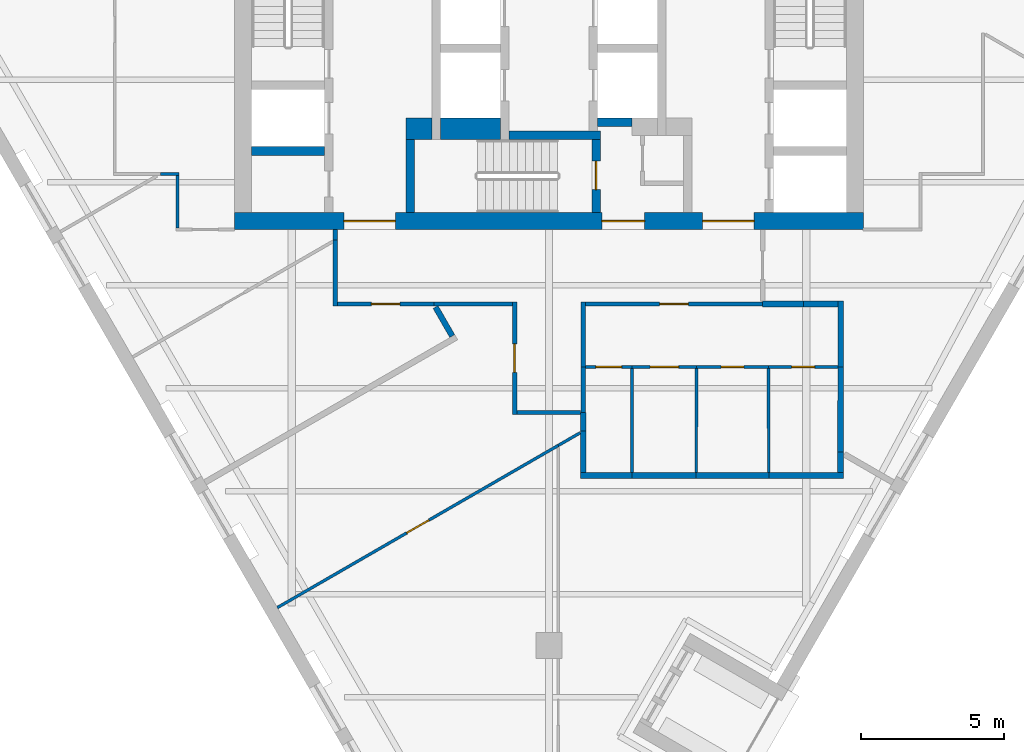
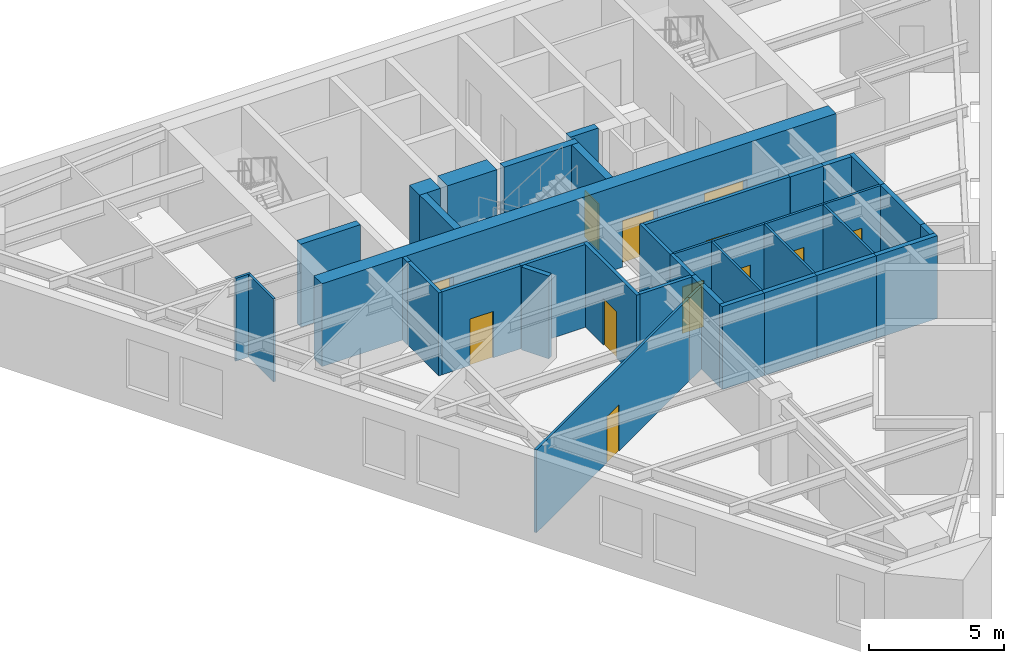
# One storey, part 3 of 7: 40 walls, 12 doors, 12 openings.
"""IFC4 building model written with IfcOpenShell, lengths in metres."""

from ifc_helpers import new_model, si_unit, direction, frame, frame_2d, origin, place, context, subcontext, project, spatial, rectangle, extrude, material, layer, layer_set, type_object, element, fill, save


model = new_model("IFC4")

# Units and contexts
model_context = context("Model", 3, precision=1e-05, world=origin(), true_north=direction((0.0, 1.0)))
body_context = subcontext(model_context, "Body", "Model", "MODEL_VIEW")
ifc_project = project(units=[si_unit("LENGTHUNIT", "METRE"), si_unit("AREAUNIT", "SQUARE_METRE"), si_unit("VOLUMEUNIT", "CUBIC_METRE"), si_unit("PLANEANGLEUNIT", "RADIAN"), si_unit("MASSUNIT", "GRAM", prefix="KILO")], contexts=[model_context])

# Site, building, storey
site_placement = place(None, origin())
site = spatial("IfcSite", under=ifc_project, at=site_placement, CompositionType="ELEMENT")
building_placement = place(site_placement, origin())
building = spatial("IfcBuilding", under=site, at=building_placement, Name="Aloe Facet Convention Tower", CompositionType="ELEMENT")
storey_placement = place(building_placement, frame((0.0, 0.0, 163.699951171875)))
storey = spatial("IfcBuildingStorey", under=building, at=storey_placement, Name="L41", CompositionType="ELEMENT", Elevation=163.699951171875)

# Walls
ifc_material_1 = material(Name="Concrete C60/75", Category="concrete")
ifc_layer_1 = layer(ifc_material_1, 0.300048828125)
ifc_layer_set_1 = layer_set([ifc_layer_1], Name="CR-W-RC300-C6075")
wall_type_1 = type_object("IfcWallType", Name="CR-W-RC300-C6075", PredefinedType="SOLIDWALL", material=ifc_layer_set_1)
wall_1_placement = place(storey_placement, frame((69.60009765625, 125.300048828125, 0.0), z_axis=(0.0, 0.0, 1.0), x_axis=(1.0, 0.0, 0.0)))
element("IfcWall", 1, at=wall_1_placement, inside=storey, type_object=wall_type_1, Name="Core wall L41-005", PredefinedType="SOLIDWALL", context=body_context, shape_type="SweptSolid", body=[
    extrude(rectangle(XDim=2.5498046875, YDim=0.300048828125, at=frame_2d((1.27490234375, 0.0))), origin(), (0.0, 0.0, 1.0), 3.75),
])
wall_2_placement = place(storey_placement, frame((75.14990234375, 125.699951171875, 0.0), z_axis=(0.0, 0.0, 1.0), x_axis=(0.0, -1.0, 0.0)))
element("IfcWall", 2, at=wall_2_placement, inside=storey, type_object=wall_type_1, Name="Core wall L41-009", PredefinedType="SOLIDWALL", context=body_context, shape_type="SweptSolid", body=[
    extrude(rectangle(XDim=2.550048828125, YDim=0.300048828125, at=frame_2d((1.27490234375, 0.0))), origin(), (0.0, 0.0, 1.0), 3.75),
])
wall_3_placement = place(storey_placement, frame((78.60009765625, 125.85009765625, 0.0), z_axis=(0.0, 0.0, 1.0), x_axis=(1.0, 0.0, 0.0)))
element("IfcWall", 3, at=wall_3_placement, inside=storey, type_object=wall_type_1, Name="Core wall L41-015", PredefinedType="SOLIDWALL", context=body_context, shape_type="SweptSolid", body=[
    extrude(rectangle(XDim=3.199951171875, YDim=0.300048828125, at=frame_2d((1.60009765625, 0.0))), origin(), (0.0, 0.0, 1.0), 3.75),
])

# Wall, opening, door
wall_4_placement = place(storey_placement, frame((81.64990234375, 125.699951171875, 0.0), z_axis=(0.0, 0.0, 1.0), x_axis=(0.0, -1.0, 0.0)))
wall_4 = element("IfcWall", 4, at=wall_4_placement, inside=storey, type_object=wall_type_1, Name="Core wall L41-017", PredefinedType="SOLIDWALL", context=body_context, shape_type="SweptSolid", body=[
    extrude(rectangle(XDim=2.550048828125, YDim=0.300048828125, at=frame_2d((1.27490234375, 0.0))), origin(), (0.0, 0.0, 1.0), 3.75),
])
opening_1_placement = place(wall_4_placement, frame((0.75, 0.0, 0.0)))
opening_1 = element("IfcOpeningElement", 5, at=opening_1_placement, cuts=wall_4, Name="Opening L41-CD18", PredefinedType="OPENING", context=body_context, shape_type="SweptSolid", body=[
    extrude(rectangle(XDim=1.0, YDim=2.10009765625, at=frame_2d((0.5, 1.050048828125))), frame((0.0, 0.16015625, 0.0), z_axis=(0.0, -1.0, 0.0), x_axis=(1.0, 0.0, 0.0)), (0.0, 0.0, 1.0), 0.320068359375),
])
ifc_material_2 = material(Name="Steel fire-resisting door set FD120", Category="steel")
door_type_1 = type_object("IfcDoorType", Name="CR-D-STAIR-1000-FD120-SLEFT", OperationType="SINGLE_SWING_LEFT", PredefinedType="DOOR", material=ifc_material_2)
door_1_placement = place(opening_1_placement, origin())
door_1 = element("IfcDoor", 6, at=door_1_placement, inside=storey, type_object=door_type_1, Name="Core door L41-CD18", OperationType="SINGLE_SWING_LEFT", OverallHeight=2.10009765625, OverallWidth=1.0, PredefinedType="DOOR", context=body_context, shape_type="SweptSolid", body=[
    extrude(rectangle(XDim=1.0, YDim=2.10009765625, at=frame_2d((0.5, 1.050048828125))), frame((0.0, 0.02490234375, 0.0), z_axis=(0.0, -1.0, 0.0), x_axis=(1.0, 0.0, 0.0)), (0.0, 0.0, 1.0), 0.050048828125),
])
fill(opening_1, door_1)

# Wall
wall_5_placement = place(storey_placement, frame((81.699951171875, 126.300048828125, 0.0), z_axis=(0.0, 0.0, 1.0), x_axis=(1.0, 0.0, 0.0)))
element("IfcWall", 7, at=wall_5_placement, inside=storey, type_object=wall_type_1, Name="Core wall L41-020", PredefinedType="SOLIDWALL", context=body_context, shape_type="SweptSolid", body=[
    extrude(rectangle(XDim=1.199951171875, YDim=0.300048828125, at=frame_2d((0.60009765625, 0.0))), origin(), (0.0, 0.0, 1.0), 3.75),
])

# Wall, openings, doors
ifc_material_3 = material(Name="Concrete C60/75", Category="concrete")
ifc_layer_2 = layer(ifc_material_3, 0.60009765625)
ifc_layer_set_2 = layer_set([ifc_layer_2], Name="CR-W-RC600-C6075")
wall_type_2 = type_object("IfcWallType", Name="CR-W-RC600-C6075", PredefinedType="SOLIDWALL", material=ifc_layer_set_2)
wall_6_placement = place(storey_placement, frame((69.0, 122.85009765625, 0.0), z_axis=(0.0, 0.0, 1.0), x_axis=(1.0, 0.0, 0.0)))
wall_6 = element("IfcWall", 8, at=wall_6_placement, inside=storey, type_object=wall_type_2, Name="Core wall L41-003", PredefinedType="SOLIDWALL", context=body_context, shape_type="SweptSolid", body=[
    extrude(rectangle(XDim=22.0, YDim=0.60009765625, at=frame_2d((11.0, 0.0))), origin(), (0.0, 0.0, 1.0), 3.75),
])
opening_2_placement = place(wall_6_placement, frame((16.375, 0.0, 0.0)))
opening_2 = element("IfcOpeningElement", 9, at=opening_2_placement, cuts=wall_6, Name="Opening L41-CD09", PredefinedType="OPENING", context=body_context, shape_type="SweptSolid", body=[
    extrude(rectangle(XDim=1.800048828125, YDim=2.10009765625, at=frame_2d((0.89990234375, 1.050048828125))), frame((0.0, 0.31005859375, 0.0), z_axis=(0.0, -1.0, 0.0), x_axis=(1.0, 0.0, 0.0)), (0.0, 0.0, 1.0), 0.6201171875),
])
opening_3_placement = place(wall_6_placement, frame((3.824951171875, 0.0, 0.0)))
opening_3 = element("IfcOpeningElement", 10, at=opening_3_placement, cuts=wall_6, Name="Opening L41-CD10", PredefinedType="OPENING", context=body_context, shape_type="SweptSolid", body=[
    extrude(rectangle(XDim=1.800048828125, YDim=2.10009765625, at=frame_2d((0.89990234375, 1.050048828125))), frame((0.0, 0.31005859375, 0.0), z_axis=(0.0, -1.0, 0.0), x_axis=(1.0, 0.0, 0.0)), (0.0, 0.0, 1.0), 0.6201171875),
])
opening_4_placement = place(wall_6_placement, frame((12.85009765625, 0.0, 0.0)))
opening_4 = element("IfcOpeningElement", 11, at=opening_4_placement, cuts=wall_6, Name="Opening L41-CD11", PredefinedType="OPENING", context=body_context, shape_type="SweptSolid", body=[
    extrude(rectangle(XDim=1.5, YDim=2.10009765625, at=frame_2d((0.75, 1.050048828125))), frame((0.0, 0.31005859375, 0.0), z_axis=(0.0, -1.0, 0.0), x_axis=(1.0, 0.0, 0.0)), (0.0, 0.0, 1.0), 0.6201171875),
])
ifc_material_4 = material(Name="Steel fire-resisting door set FD60", Category="steel")
door_type_2 = type_object("IfcDoorType", Name="CR-D-EXIT-1500-FD60-DD", OperationType="DOUBLE_DOOR_DOUBLE_SWING", PredefinedType="DOOR", material=ifc_material_4)
door_2_placement = place(opening_4_placement, origin())
door_2 = element("IfcDoor", 12, at=door_2_placement, inside=storey, type_object=door_type_2, Name="Core door L41-CD11", OperationType="DOUBLE_DOOR_DOUBLE_SWING", OverallHeight=2.10009765625, OverallWidth=1.5, PredefinedType="DOOR", context=body_context, shape_type="SweptSolid", body=[
    extrude(rectangle(XDim=1.5, YDim=2.10009765625, at=frame_2d((0.75, 1.050048828125))), frame((0.0, 0.02490234375, 0.0), z_axis=(0.0, -1.0, 0.0), x_axis=(1.0, 0.0, 0.0)), (0.0, 0.0, 1.0), 0.050048828125),
])
fill(opening_4, door_2)
ifc_material_5 = material(Name="Steel fire-resisting door set FD120", Category="steel")
door_type_3 = type_object("IfcDoorType", Name="CR-D-EXIT-1800-FD120-DD", OperationType="DOUBLE_DOOR_DOUBLE_SWING", PredefinedType="DOOR", material=ifc_material_5)
door_3_placement = place(opening_2_placement, origin())
door_3 = element("IfcDoor", 13, at=door_3_placement, inside=storey, type_object=door_type_3, Name="Core door L41-CD09", OperationType="DOUBLE_DOOR_DOUBLE_SWING", OverallHeight=2.10009765625, OverallWidth=1.800048828125, PredefinedType="DOOR", context=body_context, shape_type="SweptSolid", body=[
    extrude(rectangle(XDim=1.800048828125, YDim=2.10009765625, at=frame_2d((0.89990234375, 1.050048828125))), frame((0.0, 0.02490234375, 0.0), z_axis=(0.0, -1.0, 0.0), x_axis=(1.0, 0.0, 0.0)), (0.0, 0.0, 1.0), 0.050048828125),
])
fill(opening_2, door_3)
door_4_placement = place(opening_3_placement, origin())
door_4 = element("IfcDoor", 14, at=door_4_placement, inside=storey, type_object=door_type_3, Name="Core door L41-CD10", OperationType="DOUBLE_DOOR_DOUBLE_SWING", OverallHeight=2.10009765625, OverallWidth=1.800048828125, PredefinedType="DOOR", context=body_context, shape_type="SweptSolid", body=[
    extrude(rectangle(XDim=1.800048828125, YDim=2.10009765625, at=frame_2d((0.89990234375, 1.050048828125))), frame((0.0, 0.02490234375, 0.0), z_axis=(0.0, -1.0, 0.0), x_axis=(1.0, 0.0, 0.0)), (0.0, 0.0, 1.0), 0.050048828125),
])
fill(opening_3, door_4)

# Walls
ifc_material_6 = material(Name="Concrete C60/75", Category="concrete")
ifc_layer_3 = layer(ifc_material_6, 0.75)
ifc_layer_set_3 = layer_set([ifc_layer_3], Name="CR-W-RC750-C6075")
wall_type_3 = type_object("IfcWallType", Name="CR-W-RC750-C6075", PredefinedType="SOLIDWALL", material=ifc_layer_set_3)
wall_7_placement = place(storey_placement, frame((75.0, 126.074951171875, 0.0), z_axis=(0.0, 0.0, 1.0), x_axis=(1.0, 0.0, 0.0)))
element("IfcWall", 15, at=wall_7_placement, inside=storey, type_object=wall_type_3, Name="Core wall L41-008", PredefinedType="SOLIDWALL", context=body_context, shape_type="SweptSolid", body=[
    extrude(rectangle(XDim=0.89990234375, YDim=0.75, at=frame_2d((0.449951171875, 0.0))), origin(), (0.0, 0.0, 1.0), 3.75),
])
wall_8_placement = place(storey_placement, frame((76.199951171875, 126.074951171875, 0.0), z_axis=(0.0, 0.0, 1.0), x_axis=(1.0, 0.0, 0.0)))
element("IfcWall", 16, at=wall_8_placement, inside=storey, type_object=wall_type_3, Name="Core wall L41-013", PredefinedType="SOLIDWALL", context=body_context, shape_type="SweptSolid", body=[
    extrude(rectangle(XDim=2.10009765625, YDim=0.75, at=frame_2d((1.050048828125, 0.0))), origin(), (0.0, 0.0, 1.0), 3.75),
])

# Wall, opening, door
ifc_material_7 = material(Name="Gypsum board partition on steel studs", Category="steel")
ifc_layer_4 = layer(ifc_material_7, 0.14990234375)
ifc_layer_set_4 = layer_set([ifc_layer_4], Name="IN-W-CORR")
wall_type_4 = type_object("IfcWallType", Name="IN-W-CORR", PredefinedType="PARTITIONING", material=ifc_layer_set_4)
wall_9_placement = place(storey_placement, frame((78.800048828125, 116.081787109375, 0.0), z_axis=(0.0, 0.0, 1.0), x_axis=(0.0, 1.0, 0.0)))
wall_9 = element("IfcWall", 17, at=wall_9_placement, inside=storey, type_object=wall_type_4, Name="Partition L41-W013", PredefinedType="PARTITIONING", context=body_context, shape_type="SweptSolid", body=[
    extrude(rectangle(XDim=3.943115234375, YDim=0.14990234375, at=frame_2d((1.9716796875, 0.0))), origin(), (0.0, 0.0, 1.0), 3.75),
])
opening_5_placement = place(wall_9_placement, frame((1.4716796875, 0.0, 0.0)))
opening_5 = element("IfcOpeningElement", 18, at=opening_5_placement, cuts=wall_9, Name="Opening L41-011", PredefinedType="OPENING", context=body_context, shape_type="SweptSolid", body=[
    extrude(rectangle(XDim=1.0, YDim=2.10009765625, at=frame_2d((0.5, 1.050048828125))), frame((0.0, 0.0849609375, 0.0), z_axis=(0.0, -1.0, 0.0), x_axis=(1.0, 0.0, 0.0)), (0.0, 0.0, 1.0), 0.169921875),
])
ifc_material_8 = material(Name="Timber door FD30S with vision panel", Category="wood")
door_type_4 = type_object("IfcDoorType", Name="IN-OFF-D-ENTRY", OperationType="SINGLE_SWING_LEFT", PredefinedType="DOOR", material=ifc_material_8)
door_5_placement = place(opening_5_placement, origin())
door_5 = element("IfcDoor", 19, at=door_5_placement, inside=storey, type_object=door_type_4, Name="Door L41-011", OperationType="SINGLE_SWING_LEFT", OverallHeight=2.10009765625, OverallWidth=1.0, PredefinedType="DOOR", context=body_context, shape_type="SweptSolid", body=[
    extrude(rectangle(XDim=1.0, YDim=2.10009765625, at=frame_2d((0.5, 1.050048828125))), frame((0.0, 0.02490234375, 0.0), z_axis=(0.0, -1.0, 0.0), x_axis=(1.0, 0.0, 0.0)), (0.0, 0.0, 1.0), 0.050048828125),
])
fill(opening_5, door_5)

# Walls
wall_10_placement = place(storey_placement, frame((78.875, 116.15673828125, 0.0), z_axis=(0.0, 0.0, 1.0), x_axis=(1.0, 0.0, 0.0)))
element("IfcWall", 20, at=wall_10_placement, inside=storey, type_object=wall_type_4, Name="Partition L41-W015", PredefinedType="PARTITIONING", context=body_context, shape_type="SweptSolid", body=[
    extrude(rectangle(XDim=2.22509765625, YDim=0.14990234375, at=frame_2d((1.112548828125, 0.0))), origin(), (0.0, 0.0, 1.0), 3.75),
])
wall_11_placement = place(storey_placement, frame((81.199951171875, 116.15673828125, 0.0), z_axis=(0.0, 0.0, 1.0), x_axis=(0.0, 1.0, 0.0)))
element("IfcWall", 21, at=wall_11_placement, inside=storey, type_object=wall_type_4, Name="Partition L41-W024", PredefinedType="PARTITIONING", context=body_context, shape_type="SweptSolid", body=[
    extrude(rectangle(XDim=1.59326171875, YDim=0.14990234375, at=frame_2d((0.796630859375, 0.0))), origin(), (0.0, 0.0, 1.0), 3.75),
])
wall_12_placement = place(storey_placement, frame((72.52490234375, 119.875, 0.0), z_axis=(0.0, 0.0, 1.0), x_axis=(0.0, 1.0, 0.0)))
element("IfcWall", 22, at=wall_12_placement, inside=storey, type_object=wall_type_4, Name="Partition L41-W027", PredefinedType="PARTITIONING", context=body_context, shape_type="SweptSolid", body=[
    extrude(rectangle(XDim=2.309814453125, YDim=0.14990234375, at=frame_2d((1.15478515625, 0.0))), origin(), (0.0, 0.0, 1.0), 3.75),
])

# Wall, opening, door
wall_13_placement = place(storey_placement, frame((72.60009765625, 119.949951171875, 0.0), z_axis=(0.0, 0.0, 1.0), x_axis=(1.0, 0.0, 0.0)))
wall_13 = element("IfcWall", 23, at=wall_13_placement, inside=storey, type_object=wall_type_4, Name="Partition L41-W028", PredefinedType="PARTITIONING", context=body_context, shape_type="SweptSolid", body=[
    extrude(rectangle(XDim=3.370361328125, YDim=0.14990234375, at=frame_2d((1.68505859375, 0.0))), origin(), (0.0, 0.0, 1.0), 3.75),
])
opening_6_placement = place(wall_13_placement, frame((1.185302734375, 0.0, 0.0)))
opening_6 = element("IfcOpeningElement", 24, at=opening_6_placement, cuts=wall_13, Name="Opening L41-010", PredefinedType="OPENING", context=body_context, shape_type="SweptSolid", body=[
    extrude(rectangle(XDim=1.0, YDim=2.10009765625, at=frame_2d((0.5, 1.050048828125))), frame((0.0, 0.0849609375, 0.0), z_axis=(0.0, -1.0, 0.0), x_axis=(1.0, 0.0, 0.0)), (0.0, 0.0, 1.0), 0.169921875),
])
door_6_placement = place(opening_6_placement, origin())
door_6 = element("IfcDoor", 25, at=door_6_placement, inside=storey, type_object=door_type_4, Name="Door L41-010", OperationType="SINGLE_SWING_LEFT", OverallHeight=2.10009765625, OverallWidth=1.0, PredefinedType="DOOR", context=body_context, shape_type="SweptSolid", body=[
    extrude(rectangle(XDim=1.0, YDim=2.10009765625, at=frame_2d((0.5, 1.050048828125))), frame((0.0, 0.02490234375, 0.0), z_axis=(0.0, -1.0, 0.0), x_axis=(1.0, 0.0, 0.0)), (0.0, 0.0, 1.0), 0.050048828125),
])
fill(opening_6, door_6)

# Walls
wall_14_placement = place(storey_placement, frame((75.970458984375, 119.949951171875, 0.0), z_axis=(0.0, 0.0, 1.0), x_axis=(1.0, 0.0, 0.0)))
element("IfcWall", 26, at=wall_14_placement, inside=storey, type_object=wall_type_4, Name="Partition L41-W029", PredefinedType="PARTITIONING", context=body_context, shape_type="SweptSolid", body=[
    extrude(rectangle(XDim=2.754638671875, YDim=0.14990234375, at=frame_2d((1.37744140625, 0.0))), origin(), (0.0, 0.0, 1.0), 3.75),
])
wall_15_placement = place(storey_placement, frame((81.199951171875, 117.75, 0.0), z_axis=(0.0, 0.0, 1.0), x_axis=(0.0, 1.0, 0.0)))
element("IfcWall", 27, at=wall_15_placement, inside=storey, type_object=wall_type_4, Name="Partition L41-W030", PredefinedType="PARTITIONING", context=body_context, shape_type="SweptSolid", body=[
    extrude(rectangle(XDim=2.27490234375, YDim=0.14990234375, at=frame_2d((1.137451171875, 0.0))), origin(), (0.0, 0.0, 1.0), 3.75),
])

# Wall, opening, door
wall_16_placement = place(storey_placement, frame((81.27490234375, 119.949951171875, 0.0), z_axis=(0.0, 0.0, 1.0), x_axis=(1.0, 0.0, 0.0)))
wall_16 = element("IfcWall", 28, at=wall_16_placement, inside=storey, type_object=wall_type_4, Name="Partition L41-W031", PredefinedType="PARTITIONING", context=body_context, shape_type="SweptSolid", body=[
    extrude(rectangle(XDim=6.2001953125, YDim=0.14990234375, at=frame_2d((3.10009765625, 0.0))), origin(), (0.0, 0.0, 1.0), 3.75),
])
opening_7_placement = place(wall_16_placement, frame((2.60009765625, 0.0, 0.0)))
opening_7 = element("IfcOpeningElement", 29, at=opening_7_placement, cuts=wall_16, Name="Opening L41-001", PredefinedType="OPENING", context=body_context, shape_type="SweptSolid", body=[
    extrude(rectangle(XDim=1.0, YDim=2.10009765625, at=frame_2d((0.5, 1.050048828125))), frame((0.0, 0.0849609375, 0.0), z_axis=(0.0, -1.0, 0.0), x_axis=(1.0, 0.0, 0.0)), (0.0, 0.0, 1.0), 0.169921875),
])
door_7_placement = place(opening_7_placement, origin())
door_7 = element("IfcDoor", 30, at=door_7_placement, inside=storey, type_object=door_type_4, Name="Door L41-001", OperationType="SINGLE_SWING_LEFT", OverallHeight=2.10009765625, OverallWidth=1.0, PredefinedType="DOOR", context=body_context, shape_type="SweptSolid", body=[
    extrude(rectangle(XDim=1.0, YDim=2.10009765625, at=frame_2d((0.5, 1.050048828125))), frame((0.0, 0.02490234375, 0.0), z_axis=(0.0, -1.0, 0.0), x_axis=(1.0, 0.0, 0.0)), (0.0, 0.0, 1.0), 0.050048828125),
])
fill(opening_7, door_7)

# Wall
wall_17_placement = place(storey_placement, frame((72.52490234375, 122.184814453125, 0.0), z_axis=(0.0, 0.0, 1.0), x_axis=(0.0, 1.0, 0.0)))
element("IfcWall", 31, at=wall_17_placement, inside=storey, type_object=wall_type_4, Name="Partition L41-W034", PredefinedType="PARTITIONING", context=body_context, shape_type="SweptSolid", body=[
    extrude(rectangle(XDim=0.365234375, YDim=0.14990234375, at=frame_2d((0.1826171875, 0.0))), origin(), (0.0, 0.0, 1.0), 3.75),
])

# Wall, opening, door
ifc_material_9 = material(Name="Gypsum board partition on steel studs", Category="steel")
ifc_layer_5 = layer(ifc_material_9, 0.10009765625)
ifc_layer_set_5 = layer_set([ifc_layer_5], Name="IN-W-PART")
wall_type_5 = type_object("IfcWallType", Name="IN-W-PART", PredefinedType="PARTITIONING", material=ifc_layer_set_5)
wall_18_placement = place(storey_placement, frame((70.49853515625, 109.32763671875, 0.0), z_axis=(0.0, 0.0, 1.0), x_axis=(0.866029704776, 0.49999255039, 0.0)))
wall_18 = element("IfcWall", 32, at=wall_18_placement, inside=storey, type_object=wall_type_5, Name="Partition L41-W001", PredefinedType="PARTITIONING", context=body_context, shape_type="SweptSolid", body=[
    extrude(rectangle(XDim=11.345458984375, YDim=0.10009765625, at=frame_2d((5.6728515625, 0.0))), origin(), (0.0, 0.0, 1.0), 3.75),
])
opening_8_placement = place(wall_18_placement, frame((5.22265625, 0.0, 0.0)))
opening_8 = element("IfcOpeningElement", 33, at=opening_8_placement, cuts=wall_18, Name="Opening L41-014", PredefinedType="OPENING", context=body_context, shape_type="SweptSolid", body=[
    extrude(rectangle(XDim=0.89990234375, YDim=2.10009765625, at=frame_2d((0.449951171875, 1.050048828125))), frame((0.0, 0.06005859375, 0.0), z_axis=(0.0, -1.0, 0.0), x_axis=(1.0, 0.0, 0.0)), (0.0, 0.0, 1.0), 0.1201171875),
])
ifc_material_10 = material(Name="Timber door", Category="wood")
door_type_5 = type_object("IfcDoorType", Name="IN-OFF-D-ROOM", OperationType="SINGLE_SWING_LEFT", PredefinedType="DOOR", material=ifc_material_10)
door_8_placement = place(opening_8_placement, origin())
door_8 = element("IfcDoor", 34, at=door_8_placement, inside=storey, type_object=door_type_5, Name="Door L41-014", OperationType="SINGLE_SWING_LEFT", OverallHeight=2.10009765625, OverallWidth=0.89990234375, PredefinedType="DOOR", context=body_context, shape_type="SweptSolid", body=[
    extrude(rectangle(XDim=0.89990234375, YDim=2.10009765625, at=frame_2d((0.449951171875, 1.050048828125))), frame((0.0, 0.02490234375, 0.0), z_axis=(0.0, -1.0, 0.0), x_axis=(1.0, 0.0, 0.0)), (0.0, 0.0, 1.0), 0.050048828125),
])
fill(opening_8, door_8)

# Walls
wall_19_placement = place(storey_placement, frame((80.323974609375, 115.000244140625, 0.0), z_axis=(0.0, 0.0, 1.0), x_axis=(0.866070288904, 0.499922248632, 0.0)))
element("IfcWall", 35, at=wall_19_placement, inside=storey, type_object=wall_type_5, Name="Partition L41-W011", PredefinedType="PARTITIONING", context=body_context, shape_type="SweptSolid", body=[
    extrude(rectangle(XDim=0.881591796875, YDim=0.10009765625, at=frame_2d((0.44091796875, 0.0))), origin(), (0.0, 0.0, 1.0), 3.75),
])
wall_20_placement = place(storey_placement, frame((82.900146484375, 114.050048828125, 0.0), z_axis=(0.0, 0.0, 1.0), x_axis=(0.002675575707, 0.999996420641, 0.0)))
element("IfcWall", 36, at=wall_20_placement, inside=storey, type_object=wall_type_5, Name="Partition L41-W016", PredefinedType="PARTITIONING", context=body_context, shape_type="SweptSolid", body=[
    extrude(rectangle(XDim=3.64990234375, YDim=0.10009765625, at=frame_2d((1.824951171875, 0.0))), origin(), (0.0, 0.0, 1.0), 3.75),
])

# Wall, opening, door
wall_21_placement = place(storey_placement, frame((81.27490234375, 117.75, 0.0), z_axis=(0.0, 0.0, 1.0), x_axis=(1.0, 0.0, 0.0)))
wall_21 = element("IfcWall", 37, at=wall_21_placement, inside=storey, type_object=wall_type_5, Name="Partition L41-W017", PredefinedType="PARTITIONING", context=body_context, shape_type="SweptSolid", body=[
    extrude(rectangle(XDim=1.635009765625, YDim=0.10009765625, at=frame_2d((0.8173828125, 0.0))), origin(), (0.0, 0.0, 1.0), 3.75),
])
opening_9_placement = place(wall_21_placement, frame((0.367431640625, 0.0, 0.0)))
opening_9 = element("IfcOpeningElement", 38, at=opening_9_placement, cuts=wall_21, Name="Opening L41-002", PredefinedType="OPENING", context=body_context, shape_type="SweptSolid", body=[
    extrude(rectangle(XDim=0.89990234375, YDim=2.10009765625, at=frame_2d((0.449951171875, 1.050048828125))), frame((0.0, 0.06005859375, 0.0), z_axis=(0.0, -1.0, 0.0), x_axis=(1.0, 0.0, 0.0)), (0.0, 0.0, 1.0), 0.1201171875),
])
door_9_placement = place(opening_9_placement, origin())
door_9 = element("IfcDoor", 39, at=door_9_placement, inside=storey, type_object=door_type_5, Name="Door L41-002", OperationType="SINGLE_SWING_LEFT", OverallHeight=2.10009765625, OverallWidth=0.89990234375, PredefinedType="DOOR", context=body_context, shape_type="SweptSolid", body=[
    extrude(rectangle(XDim=0.89990234375, YDim=2.10009765625, at=frame_2d((0.449951171875, 1.050048828125))), frame((0.0, 0.02490234375, 0.0), z_axis=(0.0, -1.0, 0.0), x_axis=(1.0, 0.0, 0.0)), (0.0, 0.0, 1.0), 0.050048828125),
])
fill(opening_9, door_9)

# Wall
wall_22_placement = place(storey_placement, frame((85.150146484375, 114.050048828125, 0.0), z_axis=(0.0, 0.0, 1.0), x_axis=(0.002675575707, 0.999996420641, 0.0)))
element("IfcWall", 40, at=wall_22_placement, inside=storey, type_object=wall_type_5, Name="Partition L41-W018", PredefinedType="PARTITIONING", context=body_context, shape_type="SweptSolid", body=[
    extrude(rectangle(XDim=3.64990234375, YDim=0.10009765625, at=frame_2d((1.824951171875, 0.0))), origin(), (0.0, 0.0, 1.0), 3.75),
])

# Wall, opening, door
wall_23_placement = place(storey_placement, frame((82.909912109375, 117.75, 0.0), z_axis=(0.0, 0.0, 1.0), x_axis=(1.0, 0.0, 0.0)))
wall_23 = element("IfcWall", 41, at=wall_23_placement, inside=storey, type_object=wall_type_5, Name="Partition L41-W019", PredefinedType="PARTITIONING", context=body_context, shape_type="SweptSolid", body=[
    extrude(rectangle(XDim=2.25, YDim=0.10009765625, at=frame_2d((1.125, 0.0))), origin(), (0.0, 0.0, 1.0), 3.75),
])
opening_10_placement = place(wall_23_placement, frame((0.625, 0.0, 0.0)))
opening_10 = element("IfcOpeningElement", 42, at=opening_10_placement, cuts=wall_23, Name="Opening L41-003", PredefinedType="OPENING", context=body_context, shape_type="SweptSolid", body=[
    extrude(rectangle(XDim=1.0, YDim=2.10009765625, at=frame_2d((0.5, 1.050048828125))), frame((0.0, 0.06005859375, 0.0), z_axis=(0.0, -1.0, 0.0), x_axis=(1.0, 0.0, 0.0)), (0.0, 0.0, 1.0), 0.1201171875),
])
ifc_material_11 = material(Name="Timber door", Category="wood")
door_type_6 = type_object("IfcDoorType", Name="IN-OFF-D-WIDE", OperationType="SINGLE_SWING_LEFT", PredefinedType="DOOR", material=ifc_material_11)
door_10_placement = place(opening_10_placement, origin())
door_10 = element("IfcDoor", 43, at=door_10_placement, inside=storey, type_object=door_type_6, Name="Door L41-003", OperationType="SINGLE_SWING_LEFT", OverallHeight=2.10009765625, OverallWidth=1.0, PredefinedType="DOOR", context=body_context, shape_type="SweptSolid", body=[
    extrude(rectangle(XDim=1.0, YDim=2.10009765625, at=frame_2d((0.5, 1.050048828125))), frame((0.0, 0.02490234375, 0.0), z_axis=(0.0, -1.0, 0.0), x_axis=(1.0, 0.0, 0.0)), (0.0, 0.0, 1.0), 0.050048828125),
])
fill(opening_10, door_10)

# Wall
wall_24_placement = place(storey_placement, frame((87.689697265625, 114.050048828125, 0.0), z_axis=(0.0, 0.0, 1.0), x_axis=(-0.002608686776, 0.999996597371, 0.0)))
element("IfcWall", 44, at=wall_24_placement, inside=storey, type_object=wall_type_5, Name="Partition L41-W020", PredefinedType="PARTITIONING", context=body_context, shape_type="SweptSolid", body=[
    extrude(rectangle(XDim=3.64990234375, YDim=0.10009765625, at=frame_2d((1.824951171875, 0.0))), origin(), (0.0, 0.0, 1.0), 3.75),
])

# Wall, opening, door
wall_25_placement = place(storey_placement, frame((85.159912109375, 117.75, 0.0), z_axis=(0.0, 0.0, 1.0), x_axis=(1.0, 0.0, 0.0)))
wall_25 = element("IfcWall", 45, at=wall_25_placement, inside=storey, type_object=wall_type_5, Name="Partition L41-W021", PredefinedType="PARTITIONING", context=body_context, shape_type="SweptSolid", body=[
    extrude(rectangle(XDim=2.52001953125, YDim=0.10009765625, at=frame_2d((1.260009765625, 0.0))), origin(), (0.0, 0.0, 1.0), 3.75),
])
opening_11_placement = place(wall_25_placement, frame((0.860107421875, 0.0, 0.0)))
opening_11 = element("IfcOpeningElement", 46, at=opening_11_placement, cuts=wall_25, Name="Opening L41-004", PredefinedType="OPENING", context=body_context, shape_type="SweptSolid", body=[
    extrude(rectangle(XDim=0.800048828125, YDim=2.10009765625, at=frame_2d((0.39990234375, 1.050048828125))), frame((0.0, 0.06005859375, 0.0), z_axis=(0.0, -1.0, 0.0), x_axis=(1.0, 0.0, 0.0)), (0.0, 0.0, 1.0), 0.1201171875),
])
ifc_material_12 = material(Name="Timber door", Category="wood")
door_type_7 = type_object("IfcDoorType", Name="IN-OFF-D-WC", OperationType="SINGLE_SWING_LEFT", PredefinedType="DOOR", material=ifc_material_12)
door_11_placement = place(opening_11_placement, origin())
door_11 = element("IfcDoor", 47, at=door_11_placement, inside=storey, type_object=door_type_7, Name="Door L41-004", OperationType="SINGLE_SWING_LEFT", OverallHeight=2.10009765625, OverallWidth=0.800048828125, PredefinedType="DOOR", context=body_context, shape_type="SweptSolid", body=[
    extrude(rectangle(XDim=0.800048828125, YDim=2.10009765625, at=frame_2d((0.39990234375, 1.050048828125))), frame((0.0, 0.02490234375, 0.0), z_axis=(0.0, -1.0, 0.0), x_axis=(1.0, 0.0, 0.0)), (0.0, 0.0, 1.0), 0.050048828125),
])
fill(opening_11, door_11)

wall_26_placement = place(storey_placement, frame((87.679931640625, 117.75, 0.0), z_axis=(0.0, 0.0, 1.0), x_axis=(1.0, 0.0, 0.0)))
wall_26 = element("IfcWall", 48, at=wall_26_placement, inside=storey, type_object=wall_type_5, Name="Partition L41-W022", PredefinedType="PARTITIONING", context=body_context, shape_type="SweptSolid", body=[
    extrude(rectangle(XDim=2.423095703125, YDim=0.10009765625, at=frame_2d((1.21142578125, 0.0))), origin(), (0.0, 0.0, 1.0), 3.75),
])
opening_12_placement = place(wall_26_placement, frame((0.8115234375, 0.0, 0.0)))
opening_12 = element("IfcOpeningElement", 49, at=opening_12_placement, cuts=wall_26, Name="Opening L41-005", PredefinedType="OPENING", context=body_context, shape_type="SweptSolid", body=[
    extrude(rectangle(XDim=0.800048828125, YDim=2.10009765625, at=frame_2d((0.39990234375, 1.050048828125))), frame((0.0, 0.06005859375, 0.0), z_axis=(0.0, -1.0, 0.0), x_axis=(1.0, 0.0, 0.0)), (0.0, 0.0, 1.0), 0.1201171875),
])
door_12_placement = place(opening_12_placement, origin())
door_12 = element("IfcDoor", 50, at=door_12_placement, inside=storey, type_object=door_type_7, Name="Door L41-005", OperationType="SINGLE_SWING_LEFT", OverallHeight=2.10009765625, OverallWidth=0.800048828125, PredefinedType="DOOR", context=body_context, shape_type="SweptSolid", body=[
    extrude(rectangle(XDim=0.800048828125, YDim=2.10009765625, at=frame_2d((0.39990234375, 1.050048828125))), frame((0.0, 0.02490234375, 0.0), z_axis=(0.0, -1.0, 0.0), x_axis=(1.0, 0.0, 0.0)), (0.0, 0.0, 1.0), 0.050048828125),
])
fill(opening_12, door_12)

# Walls
wall_27_placement = place(storey_placement, frame((66.41357421875, 124.5, 0.0), z_axis=(0.0, 0.0, 1.0), x_axis=(1.0, 0.0, 0.0)))
element("IfcWall", 51, at=wall_27_placement, inside=storey, type_object=wall_type_5, Name="Partition L41-W041", PredefinedType="PARTITIONING", context=body_context, shape_type="SweptSolid", body=[
    extrude(rectangle(XDim=0.636474609375, YDim=0.10009765625, at=frame_2d((0.318359375, 0.0))), origin(), (0.0, 0.0, 1.0), 3.75),
])
wall_28_placement = place(storey_placement, frame((67.0, 122.60009765625, 0.0), z_axis=(0.0, 0.0, 1.0), x_axis=(0.0, 1.0, 0.0)))
element("IfcWall", 52, at=wall_28_placement, inside=storey, type_object=wall_type_5, Name="Partition L41-W042", PredefinedType="PARTITIONING", context=body_context, shape_type="SweptSolid", body=[
    extrude(rectangle(XDim=1.849853515625, YDim=0.10009765625, at=frame_2d((0.9248046875, 0.0))), origin(), (0.0, 0.0, 1.0), 3.75),
])
ifc_material_13 = material(Name="Gypsum board partition on steel studs", Category="steel")
ifc_layer_6 = layer(ifc_material_13, 0.199951171875)
ifc_layer_set_6 = layer_set([ifc_layer_6], Name="IN-W-PARTY")
wall_type_6 = type_object("IfcWallType", Name="IN-W-PARTY", PredefinedType="PARTITIONING", material=ifc_layer_set_6)
wall_29_placement = place(storey_placement, frame((81.10205078125, 113.949951171875, 0.0), z_axis=(0.0, 0.0, 1.0), x_axis=(1.0, 0.0, 0.0)))
element("IfcWall", 53, at=wall_29_placement, inside=storey, type_object=wall_type_6, Name="Partition L41-W003", PredefinedType="PARTITIONING", context=body_context, shape_type="SweptSolid", body=[
    extrude(rectangle(XDim=1.7978515625, YDim=0.199951171875, at=frame_2d((0.89892578125, 0.0))), origin(), (0.0, 0.0, 1.0), 3.75),
])
wall_30_placement = place(storey_placement, frame((82.89990234375, 113.949951171875, 0.0), z_axis=(0.0, 0.0, 1.0), x_axis=(1.0, 0.0, 0.0)))
element("IfcWall", 54, at=wall_30_placement, inside=storey, type_object=wall_type_6, Name="Partition L41-W004", PredefinedType="PARTITIONING", context=body_context, shape_type="SweptSolid", body=[
    extrude(rectangle(XDim=2.25, YDim=0.199951171875, at=frame_2d((1.125, 0.0))), origin(), (0.0, 0.0, 1.0), 3.75),
])
wall_31_placement = place(storey_placement, frame((85.14990234375, 113.949951171875, 0.0), z_axis=(0.0, 0.0, 1.0), x_axis=(1.0, 0.0, 0.0)))
element("IfcWall", 55, at=wall_31_placement, inside=storey, type_object=wall_type_6, Name="Partition L41-W005", PredefinedType="PARTITIONING", context=body_context, shape_type="SweptSolid", body=[
    extrude(rectangle(XDim=2.5400390625, YDim=0.199951171875, at=frame_2d((1.27001953125, 0.0))), origin(), (0.0, 0.0, 1.0), 3.75),
])
wall_32_placement = place(storey_placement, frame((87.68994140625, 113.949951171875, 0.0), z_axis=(0.0, 0.0, 1.0), x_axis=(1.0, 0.0, 0.0)))
element("IfcWall", 56, at=wall_32_placement, inside=storey, type_object=wall_type_6, Name="Partition L41-W006", PredefinedType="PARTITIONING", context=body_context, shape_type="SweptSolid", body=[
    extrude(rectangle(XDim=2.608154296875, YDim=0.199951171875, at=frame_2d((1.30419921875, 0.0))), origin(), (0.0, 0.0, 1.0), 3.75),
])
wall_33_placement = place(storey_placement, frame((90.1982421875, 114.050048828125, 0.0), z_axis=(0.0, 0.0, 1.0), x_axis=(0.002380945632, 0.999997165545, 0.0)))
element("IfcWall", 57, at=wall_33_placement, inside=storey, type_object=wall_type_6, Name="Partition L41-W007", PredefinedType="PARTITIONING", context=body_context, shape_type="SweptSolid", body=[
    extrude(rectangle(XDim=0.7177734375, YDim=0.199951171875, at=frame_2d((0.35888671875, 0.0))), origin(), (0.0, 0.0, 1.0), 3.75),
])
wall_34_placement = place(storey_placement, frame((90.199951171875, 114.767822265625, 0.0), z_axis=(0.0, 0.0, 1.0), x_axis=(0.000982398216, 0.999999517447, 0.0)))
element("IfcWall", 58, at=wall_34_placement, inside=storey, type_object=wall_type_6, Name="Partition L41-W009", PredefinedType="PARTITIONING", context=body_context, shape_type="SweptSolid", body=[
    extrude(rectangle(XDim=2.982177734375, YDim=0.199951171875, at=frame_2d((1.4912109375, 0.0))), origin(), (0.0, 0.0, 1.0), 3.75),
])
wall_35_placement = place(storey_placement, frame((81.201904296875, 114.050048828125, 0.0), z_axis=(0.0, 0.0, 1.0), x_axis=(-0.001341605366, 0.999999100047, 0.0)))
element("IfcWall", 59, at=wall_35_placement, inside=storey, type_object=wall_type_6, Name="Partition L41-W012", PredefinedType="PARTITIONING", context=body_context, shape_type="SweptSolid", body=[
    extrude(rectangle(XDim=1.455810546875, YDim=0.199951171875, at=frame_2d((0.72802734375, 0.0))), origin(), (0.0, 0.0, 1.0), 3.75),
])
wall_36_placement = place(storey_placement, frame((81.199951171875, 115.505859375, 0.0), z_axis=(0.0, 0.0, 1.0), x_axis=(0.0, 1.0, 0.0)))
element("IfcWall", 60, at=wall_36_placement, inside=storey, type_object=wall_type_6, Name="Partition L41-W014", PredefinedType="PARTITIONING", context=body_context, shape_type="SweptSolid", body=[
    extrude(rectangle(XDim=0.65087890625, YDim=0.199951171875, at=frame_2d((0.325439453125, 0.0))), origin(), (0.0, 0.0, 1.0), 3.75),
])
wall_37_placement = place(storey_placement, frame((90.202880859375, 117.75, 0.0), z_axis=(0.0, 0.0, 1.0), x_axis=(0.0, 1.0, 0.0)))
element("IfcWall", 61, at=wall_37_placement, inside=storey, type_object=wall_type_6, Name="Partition L41-W023", PredefinedType="PARTITIONING", context=body_context, shape_type="SweptSolid", body=[
    extrude(rectangle(XDim=2.300048828125, YDim=0.199951171875, at=frame_2d((1.14990234375, 0.0))), origin(), (0.0, 0.0, 1.0), 3.75),
])
wall_38_placement = place(storey_placement, frame((76.03271484375, 119.841552734375, 0.0), z_axis=(0.0, 0.0, 1.0), x_axis=(0.498883547335, -0.866669029214, 0.0)))
element("IfcWall", 62, at=wall_38_placement, inside=storey, type_object=wall_type_6, Name="Partition L41-W026", PredefinedType="PARTITIONING", context=body_context, shape_type="SweptSolid", body=[
    extrude(rectangle(XDim=1.167724609375, YDim=0.199951171875, at=frame_2d((0.583984375, 0.0))), origin(), (0.0, 0.0, 1.0), 3.75),
])
wall_39_placement = place(storey_placement, frame((87.47509765625, 119.949951171875, 0.0), z_axis=(0.0, 0.0, 1.0), x_axis=(1.0, 0.0, 0.0)))
element("IfcWall", 63, at=wall_39_placement, inside=storey, type_object=wall_type_6, Name="Partition L41-W032", PredefinedType="PARTITIONING", context=body_context, shape_type="SweptSolid", body=[
    extrude(rectangle(XDim=1.422119140625, YDim=0.199951171875, at=frame_2d((0.7109375, 0.0))), origin(), (0.0, 0.0, 1.0), 3.75),
])
wall_40_placement = place(storey_placement, frame((88.897216796875, 119.949951171875, 0.0), z_axis=(0.0, 0.0, 1.0), x_axis=(1.0, 0.0, 0.0)))
element("IfcWall", 64, at=wall_40_placement, inside=storey, type_object=wall_type_6, Name="Partition L41-W033", PredefinedType="PARTITIONING", context=body_context, shape_type="SweptSolid", body=[
    extrude(rectangle(XDim=1.205810546875, YDim=0.199951171875, at=frame_2d((0.60302734375, 0.0))), origin(), (0.0, 0.0, 1.0), 3.75),
])

save(model, "model.ifc")
